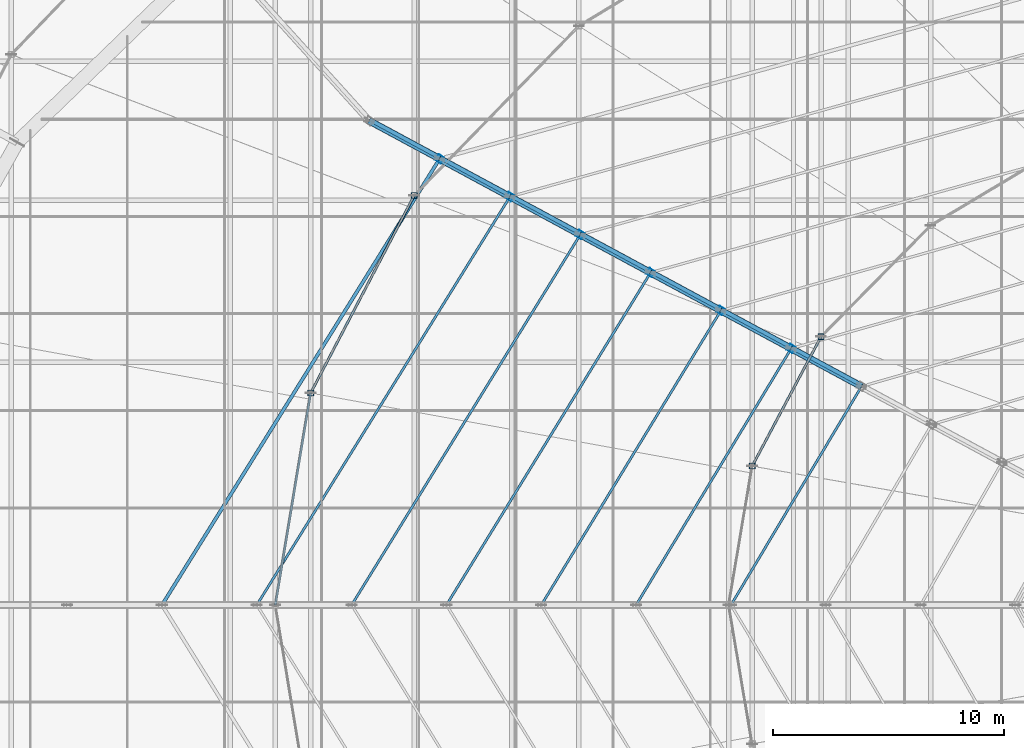
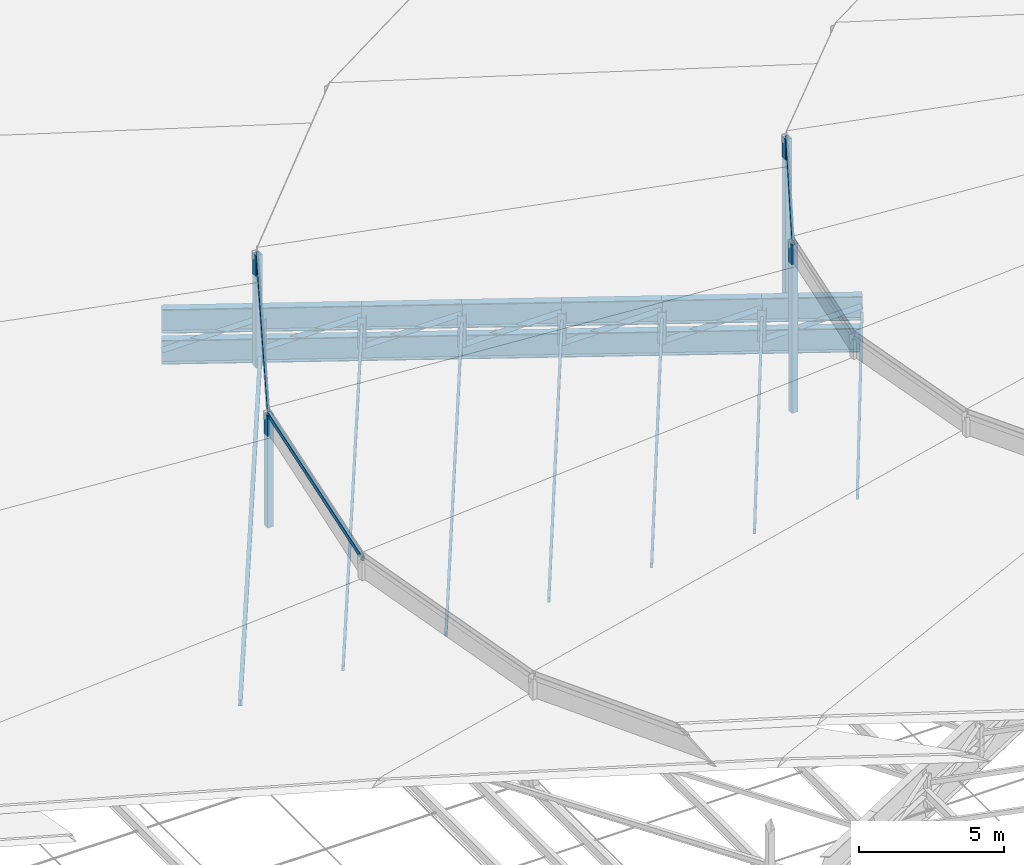
# One storey, part 97 of 184: 27 members, 14 beams.
"""IFC4 building model written with IfcOpenShell, lengths in metres."""

from ifc_helpers import new_model, si_unit, direction, frame, origin, origin_2d, place, context, subcontext, project, spatial, hollow_rectangle, i_section, extrude, material, material_profile, profile_set, type_object, element, save


model = new_model("IFC4")

# Units and contexts
model_context = context("Model", 3, precision=1e-05, world=origin(), true_north=direction((0.0, 1.0)))
body_context = subcontext(model_context, "Body", "Model", "MODEL_VIEW")
ifc_project = project(units=[si_unit("LENGTHUNIT", "METRE"), si_unit("AREAUNIT", "SQUARE_METRE"), si_unit("VOLUMEUNIT", "CUBIC_METRE"), si_unit("PLANEANGLEUNIT", "RADIAN"), si_unit("MASSUNIT", "GRAM", prefix="KILO")], contexts=[model_context])

# Site, building, storey
site_placement = place(None, origin())
site = spatial("IfcSite", under=ifc_project, at=site_placement, CompositionType="ELEMENT")
building_placement = place(site_placement, origin())
building = spatial("IfcBuilding", under=site, at=building_placement, Name="Kalgoora Escarpment Arena", CompositionType="ELEMENT")
storey_placement = place(building_placement, frame((0.0, 0.0, 27.60009765625)))
storey = spatial("IfcBuildingStorey", under=building, at=storey_placement, Name="Roof Level", CompositionType="ELEMENT", Elevation=27.60009765625)

# Beams
ifc_material_1 = material(Name="Structural steel Grade 350 (350 MPa)", Category="steel")
ifc_material_profile_1 = material_profile(ifc_material_1, i_section(OverallWidth=0.300048828125, OverallDepth=1.010009765625, WebThickness=0.01611328125, FlangeThickness=0.030029296875, at=origin_2d()))
ifc_profile_set_1 = profile_set([ifc_material_profile_1], Name="Structural steel Grade 350 (350 MPa)")
beam_type = type_object("IfcBeamType", Name="BM-TRUSS-CHORD", PredefinedType="USERDEFINED", material=ifc_profile_set_1)
for number, where, z_axis, x_axis, name in (
    (1, (60.852294921875, 84.93603515625, -1.650146484375), (0.880037048235, -0.474902749111, 0.001473981338), (0.474903265004, 0.88003800423, 0.0), "Radial ROOF TRUSS spine 4 bottom chord 2"),
    (2, (60.852294921875, 84.93603515625, -0.35009765625), (0.880034360193, -0.474901298538, 0.002877764298), (0.474903265004, 0.88003800423, 0.0), "Radial ROOF TRUSS spine 4 top chord 2"),
    (3, (63.89208984375, 83.295654296875, -1.64501953125), (0.880037137114, -0.474902797074, 0.001403791892), (0.474903265004, 0.88003800423, 0.0), "Radial ROOF TRUSS spine 4 bottom chord 3"),
    (4, (63.89208984375, 83.295654296875, -0.340087890625), (0.880034360193, -0.474901298538, 0.002877764298), (0.474903265004, 0.88003800423, 0.0), "Radial ROOF TRUSS spine 4 top chord 3"),
    (5, (66.931884765625, 81.655029296875, -1.64013671875), (0.880037048235, -0.474902749111, 0.001473981338), (0.474903265004, 0.88003800423, 0.0), "Radial ROOF TRUSS spine 4 bottom chord 4"),
    (6, (66.931884765625, 81.655029296875, -0.330078125), (0.880034360193, -0.474901298538, 0.002877764298), (0.474903265004, 0.88003800423, 0.0), "Radial ROOF TRUSS spine 4 top chord 4"),
):
    element("IfcBeam", number, at=place(storey_placement, frame(where, z_axis=z_axis, x_axis=x_axis)), inside=storey, type_object=beam_type, Name=name, ObjectType="GIRDER", PredefinedType="USERDEFINED", context=body_context, shape_type="SweptSolid", body=[
        extrude(i_section(OverallWidth=0.300048828125, OverallDepth=1.010009765625, WebThickness=0.01611328125, FlangeThickness=0.030029296875, at=origin_2d()), origin(), (0.0, 0.0, 1.0), 3.478271484375),
    ])
for number, where, z_axis, x_axis, name in (
    (7, (69.9716796875, 80.0146484375, -1.635009765625), (0.880021305462, -0.474932133107, 0.001403878608), (0.474932601123, 0.88002217267, 0.0), "Radial ROOF TRUSS spine 4 bottom chord 5"),
    (8, (69.9716796875, 80.0146484375, -0.320068359375), (0.880018528248, -0.474930634293, 0.002877942064), (0.474932601123, 0.88002217267, 0.0), "Radial ROOF TRUSS spine 4 top chord 5"),
):
    element("IfcBeam", number, at=place(storey_placement, frame(where, z_axis=z_axis, x_axis=x_axis)), inside=storey, type_object=beam_type, Name=name, ObjectType="GIRDER", PredefinedType="USERDEFINED", context=body_context, shape_type="SweptSolid", body=[
        extrude(i_section(OverallWidth=0.300048828125, OverallDepth=1.010009765625, WebThickness=0.01611328125, FlangeThickness=0.030029296875, at=origin_2d()), origin(), (0.0, 0.0, 1.0), 3.47802734375),
    ])
for number, where, z_axis, x_axis, name in (
    (9, (73.01123046875, 78.3740234375, -1.630126953125), (0.880037048235, -0.474902749111, 0.001473981338), (0.474903265004, 0.88003800423, 0.0), "Radial ROOF TRUSS spine 4 bottom chord 6"),
    (10, (73.01123046875, 78.3740234375, -0.31005859375), (0.880034360193, -0.474901298538, 0.002877764298), (0.474903265004, 0.88003800423, 0.0), "Radial ROOF TRUSS spine 4 top chord 6"),
    (11, (76.051025390625, 76.733642578125, -1.625), (0.880037137114, -0.474902797074, 0.001403791892), (0.474903265004, 0.88003800423, 0.0), "Radial ROOF TRUSS spine 4 bottom chord 7"),
    (12, (76.051025390625, 76.733642578125, -0.300048828125), (0.880034360193, -0.474901298538, 0.002877764298), (0.474903265004, 0.88003800423, 0.0), "Radial ROOF TRUSS spine 4 top chord 7"),
):
    element("IfcBeam", number, at=place(storey_placement, frame(where, z_axis=z_axis, x_axis=x_axis)), inside=storey, type_object=beam_type, Name=name, ObjectType="GIRDER", PredefinedType="USERDEFINED", context=body_context, shape_type="SweptSolid", body=[
        extrude(i_section(OverallWidth=0.300048828125, OverallDepth=1.010009765625, WebThickness=0.01611328125, FlangeThickness=0.030029296875, at=origin_2d()), origin(), (0.0, 0.0, 1.0), 3.478271484375),
    ])
for number, where, z_axis, x_axis, name in (
    (13, (79.0908203125, 75.09326171875, -1.6201171875), (0.880021216574, -0.474932085135, 0.00147407239), (0.474932601123, 0.88002217267, 0.0), "Radial ROOF TRUSS spine 4 bottom chord 8"),
    (14, (79.0908203125, 75.09326171875, -0.2900390625), (0.880018528248, -0.474930634293, 0.002877942064), (0.474932601123, 0.88002217267, 0.0), "Radial ROOF TRUSS spine 4 top chord 8"),
):
    element("IfcBeam", number, at=place(storey_placement, frame(where, z_axis=z_axis, x_axis=x_axis)), inside=storey, type_object=beam_type, Name=name, ObjectType="GIRDER", PredefinedType="USERDEFINED", context=body_context, shape_type="SweptSolid", body=[
        extrude(i_section(OverallWidth=0.300048828125, OverallDepth=1.010009765625, WebThickness=0.01611328125, FlangeThickness=0.030029296875, at=origin_2d()), origin(), (0.0, 0.0, 1.0), 3.47802734375),
    ])

# Members
ifc_material_2 = material(Name="Structural steel C450 (450 MPa)", Category="steel")
ifc_material_profile_2 = material_profile(ifc_material_2, hollow_rectangle(XDim=0.25, YDim=0.25, WallThickness=0.012451171875, at=origin_2d()))
ifc_profile_set_2 = profile_set([ifc_material_profile_2], Name="Structural steel C450 (450 MPa)")
member_type_1 = type_object("IfcMemberType", Name="MEM-PETAL-POST", PredefinedType="POST", material=ifc_profile_set_2)
for number, where, z_axis, x_axis, name in (
    (15, (62.802001953125, 81.699951171875, -1.02001953125), (0.0, 0.0, 1.0), (1.0, 0.0, 0.0), "Petal RP3 vertical support post S11"),
    (16, (58.326416015625, 73.162109375, -1.02001953125), (0.0, 0.0, 1.0), (1.0, 0.0, 0.0), "Petal RP3 vertical support post S12"),
):
    element("IfcMember", number, at=place(storey_placement, frame(where, z_axis=z_axis, x_axis=x_axis)), inside=storey, type_object=member_type_1, Name=name, PredefinedType="POST", context=body_context, shape_type="SweptSolid", body=[
        extrude(hollow_rectangle(XDim=0.25, YDim=0.25, WallThickness=0.012451171875, at=origin_2d()), origin(), (0.0, 0.0, 1.0), 4.724853515625),
    ])
for number, where, z_axis, x_axis, name in (
    (17, (80.392333984375, 75.60009765625, -0.960205078125), (0.0, 0.0, 1.0), (1.0, 0.0, 0.0), "Petal RP4 vertical support post S11"),
    (18, (77.415283203125, 70.004638671875, -0.960205078125), (0.0, 0.0, 1.0), (1.0, 0.0, 0.0), "Petal RP4 vertical support post S12"),
):
    element("IfcMember", number, at=place(storey_placement, frame(where, z_axis=z_axis, x_axis=x_axis)), inside=storey, type_object=member_type_1, Name=name, PredefinedType="POST", context=body_context, shape_type="SweptSolid", body=[
        extrude(hollow_rectangle(XDim=0.25, YDim=0.25, WallThickness=0.012451171875, at=origin_2d()), origin(), (0.0, 0.0, 1.0), 7.105224609375),
    ])
ifc_material_3 = material(Name="Structural steel C350 (350 MPa)", Category="steel")
ifc_material_profile_3 = material_profile(ifc_material_3, hollow_rectangle(XDim=0.10009765625, YDim=0.199951171875, WallThickness=0.009033203125, at=origin_2d()))
ifc_profile_set_3 = profile_set([ifc_material_profile_3], Name="Structural steel C350 (350 MPa)")
member_type_2 = type_object("IfcMemberType", Name="MEM-PURLIN-RHS", PredefinedType="PURLIN", material=ifc_profile_set_3)
member_1_placement = place(storey_placement, frame((66.9423828125, 81.6494140625, -0.68017578125), z_axis=(-0.526930836946, -0.849908167437, 0.0), x_axis=(0.849908167437, -0.526930836946, 0.0)))
element("IfcMember", 19, at=member_1_placement, inside=storey, type_object=member_type_2, Name="Roof circumferential purlin ring 3 sector 4", PredefinedType="PURLIN", context=body_context, shape_type="SweptSolid", body=[
    extrude(hollow_rectangle(XDim=0.10009765625, YDim=0.199951171875, WallThickness=0.009033203125, at=origin_2d()), origin(), (0.0, 0.0, 1.0), 20.766357421875),
])
member_2_placement = place(storey_placement, frame((69.982177734375, 80.0087890625, -0.670166015625), z_axis=(-0.525273496063, -0.850933460579, 0.0), x_axis=(0.850933460579, -0.525273496063, 0.0)))
element("IfcMember", 20, at=member_2_placement, inside=storey, type_object=member_type_2, Name="Roof circumferential purlin ring 4 sector 4", PredefinedType="PURLIN", context=body_context, shape_type="SweptSolid", body=[
    extrude(hollow_rectangle(XDim=0.10009765625, YDim=0.199951171875, WallThickness=0.009033203125, at=origin_2d()), origin(), (0.0, 0.0, 1.0), 18.813232421875),
])
member_3_placement = place(storey_placement, frame((73.02197265625, 78.368408203125, -0.66015625), z_axis=(-0.523233516421, -0.852189349437, 0.0), x_axis=(0.852189349437, -0.523233516421, 0.0)))
element("IfcMember", 21, at=member_3_placement, inside=storey, type_object=member_type_2, Name="Roof circumferential purlin ring 5 sector 4", PredefinedType="PURLIN", context=body_context, shape_type="SweptSolid", body=[
    extrude(hollow_rectangle(XDim=0.10009765625, YDim=0.199951171875, WallThickness=0.009033203125, at=origin_2d()), origin(), (0.0, 0.0, 1.0), 16.860595703125),
])
member_4_placement = place(storey_placement, frame((76.061767578125, 76.727783203125, -0.650146484375), z_axis=(-0.520650226205, -0.853770075578, 0.0), x_axis=(0.853770075578, -0.520650226205, 0.0)))
element("IfcMember", 22, at=member_4_placement, inside=storey, type_object=member_type_2, Name="Roof circumferential purlin ring 6 sector 4", PredefinedType="PURLIN", context=body_context, shape_type="SweptSolid", body=[
    extrude(hollow_rectangle(XDim=0.10009765625, YDim=0.199951171875, WallThickness=0.009033203125, at=origin_2d()), origin(), (0.0, 0.0, 1.0), 14.90771484375),
])
member_5_placement = place(storey_placement, frame((79.101318359375, 75.08740234375, -0.64013671875), z_axis=(-0.517272669757, -0.855820650091, 0.0), x_axis=(0.855820650091, -0.517272669757, 0.0)))
element("IfcMember", 23, at=member_5_placement, inside=storey, type_object=member_type_2, Name="Roof circumferential purlin ring 7 sector 4", PredefinedType="PURLIN", context=body_context, shape_type="SweptSolid", body=[
    extrude(hollow_rectangle(XDim=0.10009765625, YDim=0.199951171875, WallThickness=0.009033203125, at=origin_2d()), origin(), (0.0, 0.0, 1.0), 12.955322265625),
])
member_6_placement = place(storey_placement, frame((82.14111328125, 73.447021484375, -0.630126953125), z_axis=(-0.51268364842, -0.85857758918, 0.0), x_axis=(0.85857758918, -0.51268364842, 0.0)))
element("IfcMember", 24, at=member_6_placement, inside=storey, type_object=member_type_2, Name="Roof circumferential purlin ring 8 sector 4", PredefinedType="PURLIN", context=body_context, shape_type="SweptSolid", body=[
    extrude(hollow_rectangle(XDim=0.10009765625, YDim=0.199951171875, WallThickness=0.009033203125, at=origin_2d()), origin(), (0.0, 0.0, 1.0), 11.003173828125),
])
member_7_placement = place(storey_placement, frame((62.802001953125, 81.699951171875, 3.684814453125), z_axis=(-0.464282362336, -0.885687240522, 0.0), x_axis=(0.885687240522, -0.464282362336, 0.0)))
element("IfcMember", 25, at=member_7_placement, inside=storey, type_object=member_type_2, Name="Petal RP3 eave support ring purlin S11", PredefinedType="PURLIN", context=body_context, shape_type="SweptSolid", body=[
    extrude(hollow_rectangle(XDim=0.10009765625, YDim=0.199951171875, WallThickness=0.009033203125, at=origin_2d()), origin(), (0.0, 0.0, 1.0), 9.639892578125),
])
member_8_placement = place(storey_placement, frame((58.326416015625, 73.162109375, 3.684814453125), z_axis=(-0.164330789251, -0.986405287751, 0.0), x_axis=(0.986405287751, -0.164330789251, 0.0)))
element("IfcMember", 26, at=member_8_placement, inside=storey, type_object=member_type_2, Name="Petal RP3 eave support ring purlin S12", PredefinedType="PURLIN", context=body_context, shape_type="SweptSolid", body=[
    extrude(hollow_rectangle(XDim=0.10009765625, YDim=0.199951171875, WallThickness=0.009033203125, at=origin_2d()), origin(), (0.0, 0.0, 1.0), 9.288330078125),
])
member_9_placement = place(storey_placement, frame((80.392333984375, 75.60009765625, 6.125), z_axis=(-0.469704321277, -0.882823793616, 0.0), x_axis=(0.882823793616, -0.469704321277, 0.0)))
element("IfcMember", 27, at=member_9_placement, inside=storey, type_object=member_type_2, Name="Petal RP4 eave support ring purlin S11", PredefinedType="PURLIN", context=body_context, shape_type="SweptSolid", body=[
    extrude(hollow_rectangle(XDim=0.10009765625, YDim=0.199951171875, WallThickness=0.009033203125, at=origin_2d()), origin(), (0.0, 0.0, 1.0), 6.338134765625),
])
ifc_material_4 = material(Name="Structural steel AS/NZS 3679 (300 MPa)", Category="steel")
ifc_material_profile_4 = material_profile(ifc_material_4, i_section(OverallWidth=0.14599609375, OverallDepth=0.256103515625, WebThickness=0.00634765625, FlangeThickness=0.010986328125, at=origin_2d()))
ifc_profile_set_4 = profile_set([ifc_material_profile_4], Name="Structural steel AS/NZS 3679 (300 MPa)")
member_type_3 = type_object("IfcMemberType", Name="MEM-PURLIN-UB", PredefinedType="PURLIN", material=ifc_profile_set_4)
member_10_placement = place(storey_placement, frame((63.902587890625, 83.289794921875, -0.690185546875), z_axis=(-0.528306534849, -0.849053711632, 0.0), x_axis=(0.849053711632, -0.528306534849, 0.0)))
element("IfcMember", 28, at=member_10_placement, inside=storey, type_object=member_type_3, Name="Roof circumferential purlin ring 2 sector 4", PredefinedType="PURLIN", context=body_context, shape_type="SweptSolid", body=[
    extrude(i_section(OverallWidth=0.14599609375, OverallDepth=0.256103515625, WebThickness=0.00634765625, FlangeThickness=0.010986328125, at=origin_2d()), origin(), (0.0, 0.0, 1.0), 22.71923828125),
])
ifc_material_5 = material(Name="Structural steel C350 (350 MPa)", Category="steel")
ifc_material_profile_5 = material_profile(ifc_material_5, hollow_rectangle(XDim=0.199951171875, YDim=0.199951171875, WallThickness=0.009033203125, at=origin_2d()))
ifc_profile_set_5 = profile_set([ifc_material_profile_5], Name="Structural steel C350 (350 MPa)")
member_type_4 = type_object("IfcMemberType", Name="MEM-TRUSS-DIAG", PredefinedType="BRACE", material=ifc_profile_set_5)
member_11_placement = place(storey_placement, frame((60.863037109375, 84.930419921875, -1.650146484375), z_axis=(0.822800263082, -0.44411387694, 0.354630217807), x_axis=(0.568295685834, 0.649847314639, -0.504716238215)))
element("IfcMember", 29, at=member_11_placement, inside=storey, type_object=member_type_4, Name="Radial ROOF TRUSS spine 4 web diagonal 2", PredefinedType="BRACE", context=body_context, shape_type="SweptSolid", body=[
    extrude(hollow_rectangle(XDim=0.199951171875, YDim=0.199951171875, WallThickness=0.009033203125, at=origin_2d()), origin(), (0.0, 0.0, 1.0), 3.694091796875),
])
member_12_placement = place(storey_placement, frame((63.902587890625, 83.289794921875, -1.64501953125), z_axis=(0.822459627826, -0.443828306109, 0.35577604654), x_axis=(0.568777767438, 0.649608003011, -0.504481212428)))
element("IfcMember", 30, at=member_12_placement, inside=storey, type_object=member_type_4, Name="Radial ROOF TRUSS spine 4 web diagonal 3", PredefinedType="BRACE", context=body_context, shape_type="SweptSolid", body=[
    extrude(hollow_rectangle(XDim=0.199951171875, YDim=0.199951171875, WallThickness=0.009033203125, at=origin_2d()), origin(), (0.0, 0.0, 1.0), 3.696044921875),
])
member_13_placement = place(storey_placement, frame((66.9423828125, 81.6494140625, -1.64013671875), z_axis=(0.822029158778, -0.44366203092, 0.356976279938), x_axis=(0.569388317253, 0.649264907568, -0.504234096404)))
element("IfcMember", 31, at=member_13_placement, inside=storey, type_object=member_type_4, Name="Radial ROOF TRUSS spine 4 web diagonal 4", PredefinedType="BRACE", context=body_context, shape_type="SweptSolid", body=[
    extrude(hollow_rectangle(XDim=0.199951171875, YDim=0.199951171875, WallThickness=0.009033203125, at=origin_2d()), origin(), (0.0, 0.0, 1.0), 3.697998046875),
])
member_14_placement = place(storey_placement, frame((69.982177734375, 80.0087890625, -1.635009765625), z_axis=(0.821665288908, -0.443399652732, 0.358138103197), x_axis=(0.569899850666, 0.649002487212, -0.503993979928)))
element("IfcMember", 32, at=member_14_placement, inside=storey, type_object=member_type_4, Name="Radial ROOF TRUSS spine 4 web diagonal 5", PredefinedType="BRACE", context=body_context, shape_type="SweptSolid", body=[
    extrude(hollow_rectangle(XDim=0.199951171875, YDim=0.199951171875, WallThickness=0.009033203125, at=origin_2d()), origin(), (0.0, 0.0, 1.0), 3.699462890625),
])
member_15_placement = place(storey_placement, frame((73.02197265625, 78.368408203125, -1.630126953125), z_axis=(0.821232989187, -0.443232325703, 0.359334778338), x_axis=(0.570508672541, 0.648660234246, -0.503745724611)))
element("IfcMember", 33, at=member_15_placement, inside=storey, type_object=member_type_4, Name="Radial ROOF TRUSS spine 4 web diagonal 6", PredefinedType="BRACE", context=body_context, shape_type="SweptSolid", body=[
    extrude(hollow_rectangle(XDim=0.199951171875, YDim=0.199951171875, WallThickness=0.009033203125, at=origin_2d()), origin(), (0.0, 0.0, 1.0), 3.701416015625),
])
member_16_placement = place(storey_placement, frame((76.061767578125, 76.727783203125, -1.625), z_axis=(0.820845743537, -0.44299297597, 0.360512813306), x_axis=(0.571049709917, 0.648374558963, -0.503500407241)))
element("IfcMember", 34, at=member_16_placement, inside=storey, type_object=member_type_4, Name="Radial ROOF TRUSS spine 4 web diagonal 7", PredefinedType="BRACE", context=body_context, shape_type="SweptSolid", body=[
    extrude(hollow_rectangle(XDim=0.199951171875, YDim=0.199951171875, WallThickness=0.009033203125, at=origin_2d()), origin(), (0.0, 0.0, 1.0), 3.702880859375),
])
member_17_placement = place(storey_placement, frame((79.101318359375, 75.08740234375, -1.6201171875), z_axis=(0.820457077737, -0.442747659249, 0.361696964075), x_axis=(0.571590469768, 0.648090169346, -0.503252886)))
element("IfcMember", 35, at=member_17_placement, inside=storey, type_object=member_type_4, Name="Radial ROOF TRUSS spine 4 web diagonal 8", PredefinedType="BRACE", context=body_context, shape_type="SweptSolid", body=[
    extrude(hollow_rectangle(XDim=0.199951171875, YDim=0.199951171875, WallThickness=0.009033203125, at=origin_2d()), origin(), (0.0, 0.0, 1.0), 3.705078125),
])
ifc_material_6 = material(Name="Structural steel C450 (450 MPa)", Category="steel")
ifc_material_profile_6 = material_profile(ifc_material_6, hollow_rectangle(XDim=0.300048828125, YDim=0.300048828125, WallThickness=0.012451171875, at=origin_2d()))
ifc_profile_set_6 = profile_set([ifc_material_profile_6], Name="Structural steel C450 (450 MPa)")
member_type_5 = type_object("IfcMemberType", Name="MEM-TRUSS-POST", PredefinedType="POST", material=ifc_profile_set_6)
member_18_placement = place(storey_placement, frame((63.902587890625, 83.289794921875, -1.64501953125), z_axis=(0.0, 0.0, 1.0), x_axis=(0.84179353575, -0.539799632428, 0.0)))
element("IfcMember", 36, at=member_18_placement, inside=storey, type_object=member_type_5, Name="Radial ROOF TRUSS spine 4 post 2", PredefinedType="POST", context=body_context, shape_type="SweptSolid", body=[
    extrude(hollow_rectangle(XDim=0.300048828125, YDim=0.300048828125, WallThickness=0.012451171875, at=origin_2d()), origin(), (0.0, 0.0, 1.0), 1.304931640625),
])
member_19_placement = place(storey_placement, frame((66.9423828125, 81.6494140625, -1.64013671875), z_axis=(0.0, 0.0, 1.0), x_axis=(0.84179353575, -0.539799632428, 0.0)))
element("IfcMember", 37, at=member_19_placement, inside=storey, type_object=member_type_5, Name="Radial ROOF TRUSS spine 4 post 3", PredefinedType="POST", context=body_context, shape_type="SweptSolid", body=[
    extrude(hollow_rectangle(XDim=0.300048828125, YDim=0.300048828125, WallThickness=0.012451171875, at=origin_2d()), origin(), (0.0, 0.0, 1.0), 1.31005859375),
])
member_20_placement = place(storey_placement, frame((69.982177734375, 80.0087890625, -1.635009765625), z_axis=(0.0, 0.0, 1.0), x_axis=(0.84179353575, -0.539799632428, 0.0)))
element("IfcMember", 38, at=member_20_placement, inside=storey, type_object=member_type_5, Name="Radial ROOF TRUSS spine 4 post 4", PredefinedType="POST", context=body_context, shape_type="SweptSolid", body=[
    extrude(hollow_rectangle(XDim=0.300048828125, YDim=0.300048828125, WallThickness=0.012451171875, at=origin_2d()), origin(), (0.0, 0.0, 1.0), 1.31494140625),
])
member_21_placement = place(storey_placement, frame((73.02197265625, 78.368408203125, -1.630126953125), z_axis=(0.0, 0.0, 1.0), x_axis=(0.84179353575, -0.539799632428, 0.0)))
element("IfcMember", 39, at=member_21_placement, inside=storey, type_object=member_type_5, Name="Radial ROOF TRUSS spine 4 post 5", PredefinedType="POST", context=body_context, shape_type="SweptSolid", body=[
    extrude(hollow_rectangle(XDim=0.300048828125, YDim=0.300048828125, WallThickness=0.012451171875, at=origin_2d()), origin(), (0.0, 0.0, 1.0), 1.320068359375),
])
member_22_placement = place(storey_placement, frame((76.061767578125, 76.727783203125, -1.625), z_axis=(0.0, 0.0, 1.0), x_axis=(0.84179353575, -0.539799632428, 0.0)))
element("IfcMember", 40, at=member_22_placement, inside=storey, type_object=member_type_5, Name="Radial ROOF TRUSS spine 4 post 6", PredefinedType="POST", context=body_context, shape_type="SweptSolid", body=[
    extrude(hollow_rectangle(XDim=0.300048828125, YDim=0.300048828125, WallThickness=0.012451171875, at=origin_2d()), origin(), (0.0, 0.0, 1.0), 1.324951171875),
])
member_23_placement = place(storey_placement, frame((79.101318359375, 75.08740234375, -1.6201171875), z_axis=(0.0, 0.0, 1.0), x_axis=(0.84179353575, -0.539799632428, 0.0)))
element("IfcMember", 41, at=member_23_placement, inside=storey, type_object=member_type_5, Name="Radial ROOF TRUSS spine 4 post 7", PredefinedType="POST", context=body_context, shape_type="SweptSolid", body=[
    extrude(hollow_rectangle(XDim=0.300048828125, YDim=0.300048828125, WallThickness=0.012451171875, at=origin_2d()), origin(), (0.0, 0.0, 1.0), 1.330078125),
])

save(model, "model.ifc")
